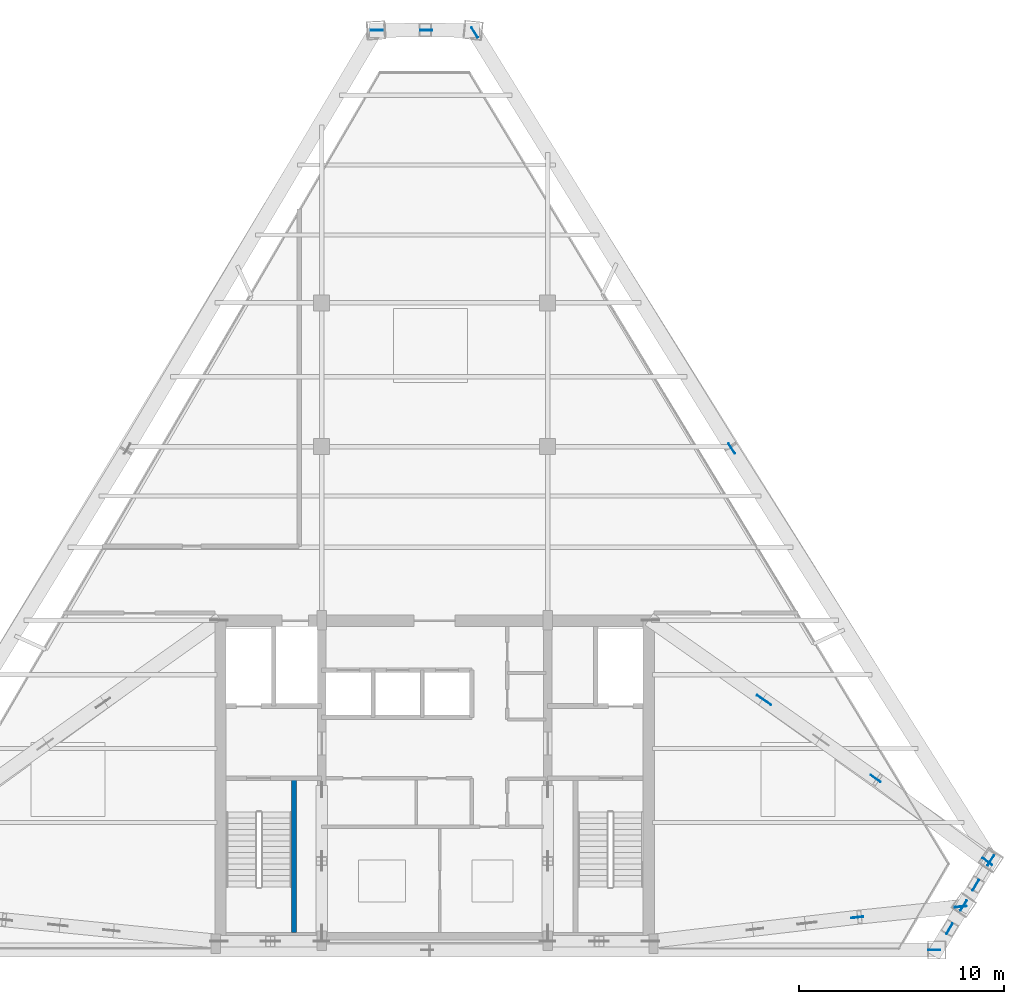
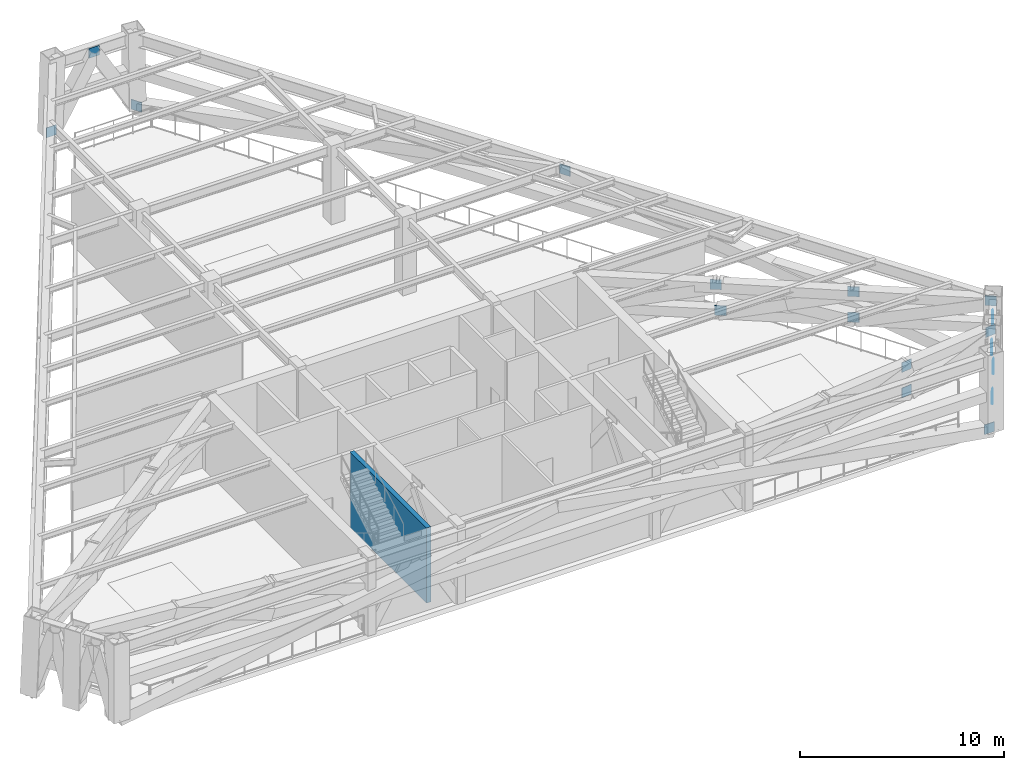
# One storey, part 5 of 9: 17 plates, 1 wall.
"""IFC4 building model written with IfcOpenShell, lengths in metres."""

from ifc_helpers import new_model, si_unit, direction, frame, frame_2d, origin, origin_2d, place, context, subcontext, project, spatial, rectangle, extrude, source, transform, mapped, material, layer, layer_set, type_object, element, save


model = new_model("IFC4")

# Units and contexts
model_context = context("Model", 3, precision=1e-05, world=origin(), true_north=direction((0.0, 1.0)))
body_context = subcontext(model_context, "Body", "Model", "MODEL_VIEW")
ifc_project = project(units=[si_unit("LENGTHUNIT", "METRE"), si_unit("AREAUNIT", "SQUARE_METRE"), si_unit("VOLUMEUNIT", "CUBIC_METRE"), si_unit("PLANEANGLEUNIT", "RADIAN"), si_unit("MASSUNIT", "GRAM", prefix="KILO")], contexts=[model_context])

# Site, building, storey
site_placement = place(None, origin())
site = spatial("IfcSite", under=ifc_project, at=site_placement, CompositionType="ELEMENT")
building_placement = place(site_placement, origin())
building = spatial("IfcBuilding", under=site, at=building_placement, Name="Varnakhor Terracotta Tower", CompositionType="ELEMENT")
storey_placement = place(building_placement, frame((0.0, 0.0, 257.949951171875)))
storey = spatial("IfcBuildingStorey", under=building, at=storey_placement, Name="L67", CompositionType="ELEMENT", Elevation=257.949951171875)

# Plates
ifc_material_1 = material(Name="Steel S460", Category="steel")
ifc_layer_1 = layer(ifc_material_1, 0.044921875, Name="Steel S460")
ifc_layer_set_1 = layer_set([ifc_layer_1], Name="Steel S460")
plate_type = type_object("IfcPlateType", Name="PLT-GUSSET-45", PredefinedType="USERDEFINED", material=ifc_layer_set_1)
shared_shape = source(origin(), body_context, "Body", "SweptSolid", [
    extrude(rectangle(XDim=0.580078125, YDim=0.0400390625, at=origin_2d()), origin(), (0.0, 0.0, 1.0), 0.580078125),
])
for number, where, z_axis, x_axis, name in (
    (1, (24.32080078125, 0.0, -0.270263671875), (0.0, 0.0, 1.0), (-1.0, 0.0, 0.0), "L67 Brace End Connection Plate 198"),
    (2, (25.054443359375, 1.03076171875, 3.69873046875), (0.0, 0.0, 1.0), (0.512522518692, 0.858673784294, 0.0), "L67 Brace End Connection Plate 199"),
    (3, (25.742431640625, 2.164306640625, -0.17578125), (0.0, 0.0, 1.0), (-0.518967218156, -0.85479414275, 0.0), "L67 Brace End Connection Plate 200"),
    (4, (26.330078125, 3.15380859375, 3.697998046875), (0.0, 0.0, 1.0), (0.510452871593, 0.859905730811, 0.0), "L67 Brace End Connection Plate 201"),
    (5, (27.063720703125, 4.3583984375, -0.176513671875), (0.0, 0.0, 1.0), (-0.520249664681, -0.854014219085, 0.0), "L67 Brace End Connection Plate 202"),
    (6, (14.456298828125, 24.404541015625, 3.793212890625), (0.0, 0.0, 1.0), (-0.533629276569, 0.845718508245, 0.0), "L67 Brace End Connection Plate 203"),
    (7, (1.94140625, 44.658203125, -0.26953125), (0.0, 0.0, 1.0), (0.52562013762, -0.850719384362, 0.0), "L67 Brace End Connection Plate 204"),
    (8, (-0.400634765625, 44.7666015625, 3.709228515625), (0.0, 0.0, 1.0), (-0.999994148914, 0.003420838662, 0.0), "L67 Brace End Connection Plate 205"),
    (9, (-2.812744140625, 44.759033203125, -0.1865234375), (0.0, 0.0, 1.0), (0.999994501661, 0.003316119501, 0.0), "L67 Brace End Connection Plate 206"),
    (10, (20.560546875, 1.5908203125, 2.295654296875), (0.0, 0.0, 1.0), (0.993296317925, 0.115595954933, 0.0), "L67 Brace End Connection Plate 223"),
    (11, (20.560546875, 1.5908203125, 3.814453125), (0.0, 0.0, 1.0), (0.993296317925, 0.115595954933, 0.0), "L67 Brace End Connection Plate 225"),
    (12, (25.595458984375, 2.109375, 3.81396484375), (0.0, 0.0, 1.0), (0.99476899023, 0.102150164347, 0.0), "L67 Brace End Connection Plate 226"),
    (13, (15.932373046875, 12.231201171875, 3.822509765625), (0.0, 0.0, 1.0), (0.81808949853, -0.575090925328, 0.0), "L67 Brace End Connection Plate 227"),
    (14, (21.46044921875, 8.34521484375, 2.28759765625), (0.0, 0.0, 1.0), (0.81808949853, -0.575090925328, 0.0), "L67 Brace End Connection Plate 228"),
    (15, (16.12353515625, 12.0966796875, 2.28759765625), (0.0, 0.0, 1.0), (0.81808949853, -0.575090925328, 0.0), "L67 Brace End Connection Plate 229"),
    (16, (21.46044921875, 8.34521484375, 3.822509765625), (0.0, 0.0, 1.0), (0.81808949853, -0.575090925328, 0.0), "L67 Brace End Connection Plate 230"),
    (17, (26.889892578125, 4.311767578125, 3.822509765625), (0.0, 0.0, 1.0), (0.802463526898, -0.596701171441, 0.0), "L67 Brace End Connection Plate 231"),
):
    element("IfcPlate", number, at=place(storey_placement, frame(where, z_axis=z_axis, x_axis=x_axis)), inside=storey, type_object=plate_type, Name=name, ObjectType="GUSSET PLATE", PredefinedType="USERDEFINED", context=body_context, shape_type="MappedRepresentation", body=[
        mapped(shared_shape, transform((0.0, 0.0, 0.0), scale=1.0)),
    ])

# Wall
ifc_material_2 = material(Name="Concrete C40/50", Category="concrete")
ifc_layer_2 = layer(ifc_material_2, 0.25, Name="Concrete C40/50")
ifc_layer_set_2 = layer_set([ifc_layer_2], Name="Concrete C40/50")
wall_type = type_object("IfcWallType", Name="WAL-SHAFT-250", PredefinedType="SOLIDWALL", material=ifc_layer_set_2)
wall_placement = place(storey_placement, frame((-6.85009765625, 0.85009765625, 0.0), z_axis=(0.0, 0.0, 1.0), x_axis=(0.0, 1.0, 0.0)))
element("IfcWall", 18, at=wall_placement, inside=storey, type_object=wall_type, Name="L67 Stair ST-1 Bearing Shaft Wall", PredefinedType="SOLIDWALL", context=body_context, shape_type="SweptSolid", body=[
    extrude(rectangle(XDim=7.5, YDim=0.25, at=frame_2d((3.75, 0.0))), origin(), (0.0, 0.0, 1.0), 4.489990234375),
])

save(model, "model.ifc")
